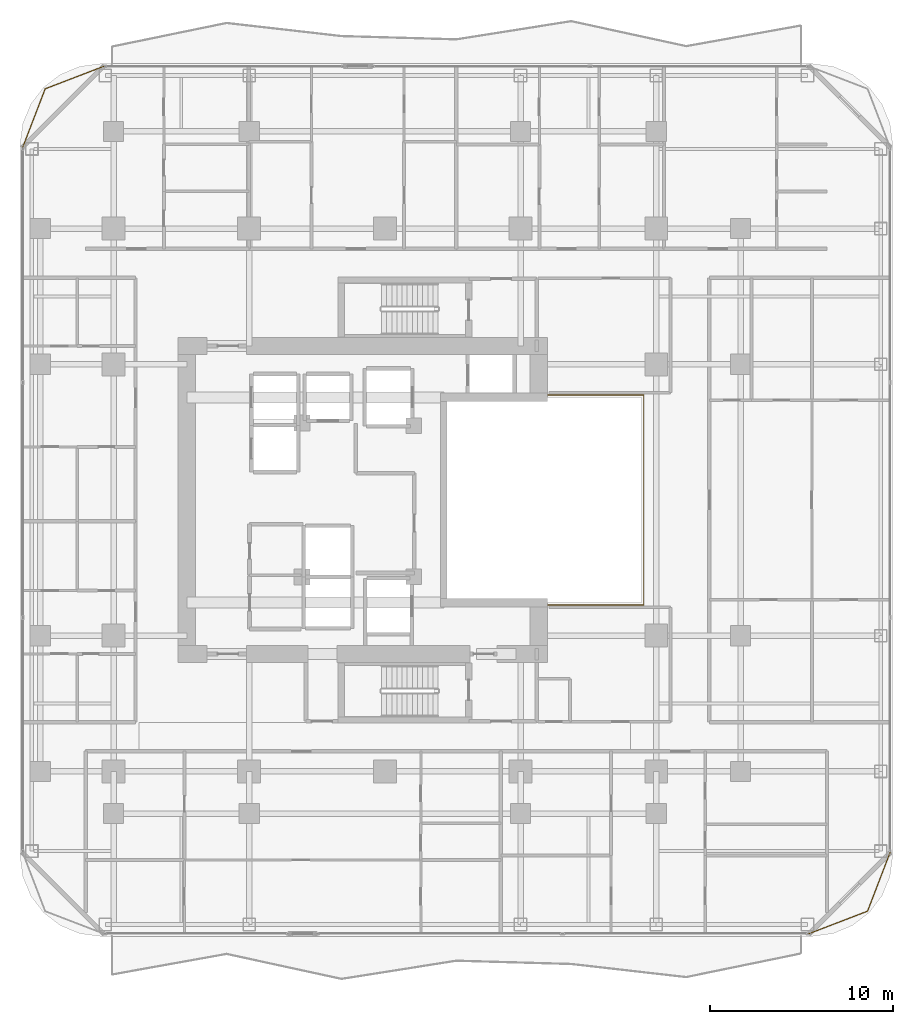
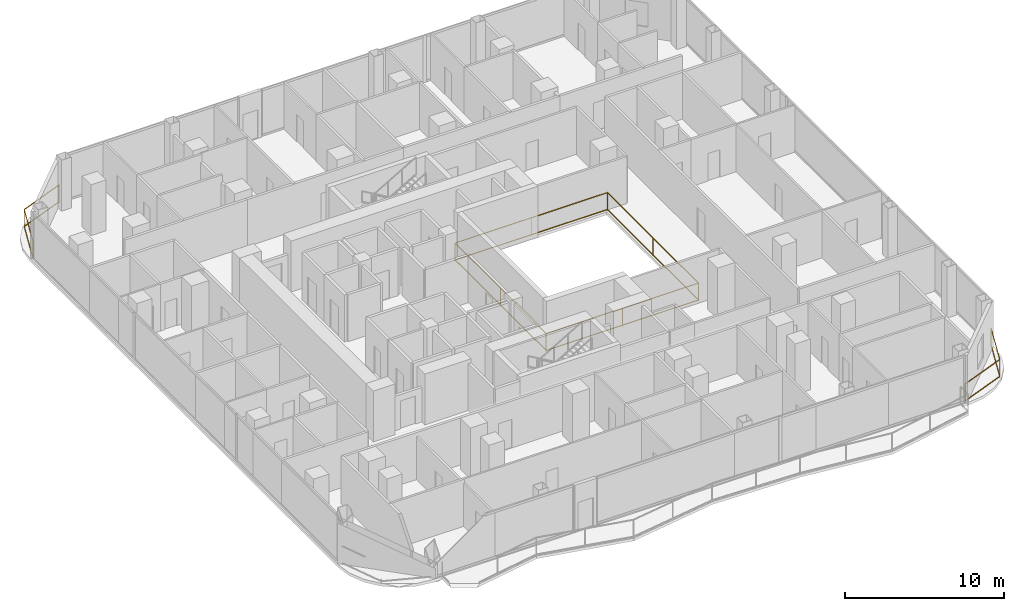
# One storey, part 26 of 27: 3 railings.
"""IFC4 building model written with IfcOpenShell, lengths in metres."""

from ifc_helpers import new_model, si_unit, direction, frame, origin, origin_2d, place, context, subcontext, project, spatial, rectangle, extrude, material, type_object, element, save


model = new_model("IFC4")

# Units and contexts
model_context = context("Model", 3, precision=1e-05, world=origin(), true_north=direction((0.0, 1.0)))
body_context = subcontext(model_context, "Body", "Model", "MODEL_VIEW")
ifc_project = project(units=[si_unit("LENGTHUNIT", "METRE"), si_unit("AREAUNIT", "SQUARE_METRE"), si_unit("VOLUMEUNIT", "CUBIC_METRE"), si_unit("PLANEANGLEUNIT", "RADIAN"), si_unit("MASSUNIT", "GRAM", prefix="KILO")], contexts=[model_context])

# Site, building, storey
site_placement = place(None, origin())
site = spatial("IfcSite", under=ifc_project, at=site_placement, CompositionType="ELEMENT")
building_placement = place(site_placement, origin())
building = spatial("IfcBuilding", under=site, at=building_placement, Name="Khorvyn Point Tower", CompositionType="ELEMENT")
storey_placement = place(building_placement, frame((0.0, 0.0, 152.39990234375)))
storey = spatial("IfcBuildingStorey", under=building, at=storey_placement, Name="L38", CompositionType="ELEMENT", Elevation=152.39990234375)

# Railings
ifc_material_1 = material(Name="Stainless steel 1.4401 and laminated glass", Category="steel")
railing_type_1 = type_object("IfcRailingType", Name="Crystal Atrium Smoke-Rated Perimeter Guardrail 1400", PredefinedType="GUARDRAIL", material=ifc_material_1)
railing_1_placement = place(storey_placement, frame((3.080078125, -5.719970703125, 0.0)))
element("IfcRailing", 1, at=railing_1_placement, inside=storey, type_object=railing_type_1, Name="L38 Crystal Atrium Perimeter Guardrail", PredefinedType="GUARDRAIL", context=body_context, shape_type="SweptSolid", body=[
    extrude(rectangle(XDim=0.048095703125, YDim=0.048095703125, at=origin_2d()), frame((0.0, 0.0, 1.3759765625), z_axis=(1.0, 0.0, 0.0), x_axis=(0.0, 1.0, 0.0)), (0.0, 0.0, 1.0), 11.0400390625),
    extrude(rectangle(XDim=0.048095703125, YDim=0.048095703125, at=origin_2d()), frame((0.0, 0.0, 0.080078125), z_axis=(1.0, 0.0, 0.0), x_axis=(0.0, 1.0, 0.0)), (0.0, 0.0, 1.0), 11.0400390625),
    extrude(rectangle(XDim=0.048095703125, YDim=0.048095703125, at=origin_2d()), frame((11.0400390625, 0.0, 1.3759765625), z_axis=(0.0, 1.0, 0.0), x_axis=(-1.0, 0.0, 0.0)), (0.0, 0.0, 1.0), 11.43994140625),
    extrude(rectangle(XDim=0.048095703125, YDim=0.048095703125, at=origin_2d()), frame((11.0400390625, 0.0, 0.080078125), z_axis=(0.0, 1.0, 0.0), x_axis=(-1.0, 0.0, 0.0)), (0.0, 0.0, 1.0), 11.43994140625),
    extrude(rectangle(XDim=0.048095703125, YDim=0.048095703125, at=origin_2d()), frame((11.0400390625, 11.43994140625, 1.3759765625), z_axis=(-1.0, 0.0, 0.0), x_axis=(0.0, -1.0, 0.0)), (0.0, 0.0, 1.0), 11.0400390625),
    extrude(rectangle(XDim=0.048095703125, YDim=0.048095703125, at=origin_2d()), frame((11.0400390625, 11.43994140625, 0.080078125), z_axis=(-1.0, 0.0, 0.0), x_axis=(0.0, -1.0, 0.0)), (0.0, 0.0, 1.0), 11.0400390625),
    extrude(rectangle(XDim=0.048095703125, YDim=0.048095703125, at=origin_2d()), frame((0.0, 11.43994140625, 1.3759765625), z_axis=(0.0, -1.0, 0.0), x_axis=(1.0, 0.0, 0.0)), (0.0, 0.0, 1.0), 11.409912109375),
    extrude(rectangle(XDim=0.048095703125, YDim=0.048095703125, at=origin_2d()), frame((0.0, 11.43994140625, 0.080078125), z_axis=(0.0, -1.0, 0.0), x_axis=(1.0, 0.0, 0.0)), (0.0, 0.0, 1.0), 11.409912109375),
    extrude(rectangle(XDim=0.0419921875, YDim=0.0419921875, at=origin_2d()), origin(), (0.0, 0.0, 1.0), 1.351806640625),
    extrude(rectangle(XDim=0.0419921875, YDim=0.0419921875, at=origin_2d()), frame((5.52001953125, 0.0, 0.0)), (0.0, 0.0, 1.0), 1.351806640625),
    extrude(rectangle(XDim=0.0419921875, YDim=0.0419921875, at=origin_2d()), frame((11.0400390625, 0.0, 0.0)), (0.0, 0.0, 1.0), 1.351806640625),
    extrude(rectangle(XDim=0.0419921875, YDim=0.0419921875, at=origin_2d()), frame((11.0400390625, 5.719970703125, 0.0)), (0.0, 0.0, 1.0), 1.351806640625),
    extrude(rectangle(XDim=0.0419921875, YDim=0.0419921875, at=origin_2d()), frame((11.0400390625, 11.43994140625, 0.0)), (0.0, 0.0, 1.0), 1.351806640625),
    extrude(rectangle(XDim=0.0419921875, YDim=0.0419921875, at=origin_2d()), frame((5.52001953125, 11.43994140625, 0.0)), (0.0, 0.0, 1.0), 1.351806640625),
    extrude(rectangle(XDim=0.0419921875, YDim=0.0419921875, at=origin_2d()), frame((0.0, 11.43994140625, 0.0)), (0.0, 0.0, 1.0), 1.351806640625),
    extrude(rectangle(XDim=0.0419921875, YDim=0.0419921875, at=origin_2d()), frame((0.0, 5.73486328125, 0.0)), (0.0, 0.0, 1.0), 1.351806640625),
    extrude(rectangle(XDim=0.0419921875, YDim=0.0419921875, at=origin_2d()), frame((0.0, 0.030029296875, 0.0)), (0.0, 0.0, 1.0), 1.351806640625),
])
ifc_material_2 = material(Name="Anodised aluminium 6063-T6 and laminated safety glass", Category="aluminium")
railing_type_2 = type_object("IfcRailingType", Name="Laminated Glass and Aluminium Balcony Guardrail 1400", PredefinedType="BALUSTRADE", material=ifc_material_2)
railing_2_placement = place(storey_placement, frame((-15.27587890625, 23.674072265625, 0.0)))
element("IfcRailing", 2, at=railing_2_placement, inside=storey, type_object=railing_type_2, Name="L38 Rounded Corner Edge Guardrail NW", PredefinedType="BALUSTRADE", context=body_context, shape_type="SweptSolid", body=[
    extrude(rectangle(XDim=0.048095703125, YDim=0.048095703125, at=origin_2d()), frame((0.0, 0.0, 1.3759765625), z_axis=(-0.933598390295, -0.358321148746, 0.0), x_axis=(0.358321148746, -0.933598390295, 0.0)), (0.0, 0.0, 1.0), 3.481689453125),
    extrude(rectangle(XDim=0.048095703125, YDim=0.048095703125, at=origin_2d()), frame((0.0, 0.0, 0.080078125), z_axis=(-0.933598390295, -0.358321148746, 0.0), x_axis=(0.358321148746, -0.933598390295, 0.0)), (0.0, 0.0, 1.0), 3.481689453125),
    extrude(rectangle(XDim=0.048095703125, YDim=0.048095703125, at=origin_2d()), frame((-3.25048828125, -1.24755859375, 1.3759765625), z_axis=(-0.358382264808, -0.933574931257, 0.0), x_axis=(0.933574931257, -0.358382264808, 0.0)), (0.0, 0.0, 1.0), 3.481689453125),
    extrude(rectangle(XDim=0.048095703125, YDim=0.048095703125, at=origin_2d()), frame((-3.25048828125, -1.24755859375, 0.080078125), z_axis=(-0.358382264808, -0.933574931257, 0.0), x_axis=(0.933574931257, -0.358382264808, 0.0)), (0.0, 0.0, 1.0), 3.481689453125),
    extrude(rectangle(XDim=0.0419921875, YDim=0.0419921875, at=origin_2d()), origin(), (0.0, 0.0, 1.0), 1.351806640625),
    extrude(rectangle(XDim=0.0419921875, YDim=0.0419921875, at=origin_2d()), frame((-3.25048828125, -1.24755859375, 0.0)), (0.0, 0.0, 1.0), 1.351806640625),
    extrude(rectangle(XDim=0.0419921875, YDim=0.0419921875, at=origin_2d()), frame((-4.498291015625, -4.498046875, 0.0)), (0.0, 0.0, 1.0), 1.351806640625),
])
railing_3_placement = place(storey_placement, frame((23.075927734375, -23.674072265625, 0.0)))
element("IfcRailing", 3, at=railing_3_placement, inside=storey, type_object=railing_type_2, Name="L38 Rounded Corner Edge Guardrail SE", PredefinedType="BALUSTRADE", context=body_context, shape_type="SweptSolid", body=[
    extrude(rectangle(XDim=0.048095703125, YDim=0.048095703125, at=origin_2d()), frame((0.0, 0.0, 1.3759765625), z_axis=(0.933598390295, 0.358321148746, 0.0), x_axis=(-0.358321148746, 0.933598390295, 0.0)), (0.0, 0.0, 1.0), 3.481689453125),
    extrude(rectangle(XDim=0.048095703125, YDim=0.048095703125, at=origin_2d()), frame((0.0, 0.0, 0.080078125), z_axis=(0.933598390295, 0.358321148746, 0.0), x_axis=(-0.358321148746, 0.933598390295, 0.0)), (0.0, 0.0, 1.0), 3.481689453125),
    extrude(rectangle(XDim=0.048095703125, YDim=0.048095703125, at=origin_2d()), frame((3.25048828125, 1.24755859375, 1.3759765625), z_axis=(0.358382264808, 0.933574931257, 0.0), x_axis=(-0.933574931257, 0.358382264808, 0.0)), (0.0, 0.0, 1.0), 3.481689453125),
    extrude(rectangle(XDim=0.048095703125, YDim=0.048095703125, at=origin_2d()), frame((3.25048828125, 1.24755859375, 0.080078125), z_axis=(0.358382264808, 0.933574931257, 0.0), x_axis=(-0.933574931257, 0.358382264808, 0.0)), (0.0, 0.0, 1.0), 3.481689453125),
    extrude(rectangle(XDim=0.0419921875, YDim=0.0419921875, at=origin_2d()), origin(), (0.0, 0.0, 1.0), 1.351806640625),
    extrude(rectangle(XDim=0.0419921875, YDim=0.0419921875, at=origin_2d()), frame((3.25048828125, 1.24755859375, 0.0)), (0.0, 0.0, 1.0), 1.351806640625),
    extrude(rectangle(XDim=0.0419921875, YDim=0.0419921875, at=origin_2d()), frame((4.498291015625, 4.498046875, 0.0)), (0.0, 0.0, 1.0), 1.351806640625),
])

save(model, "model.ifc")
